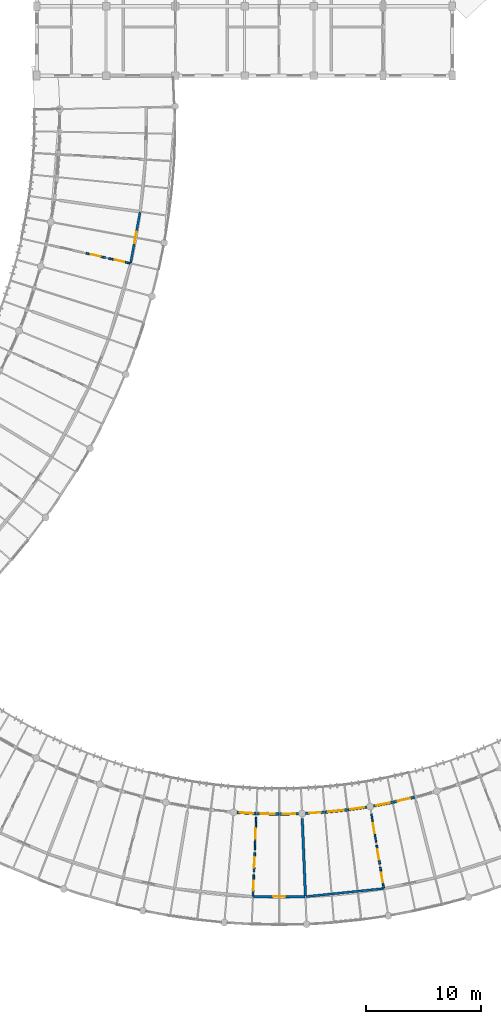
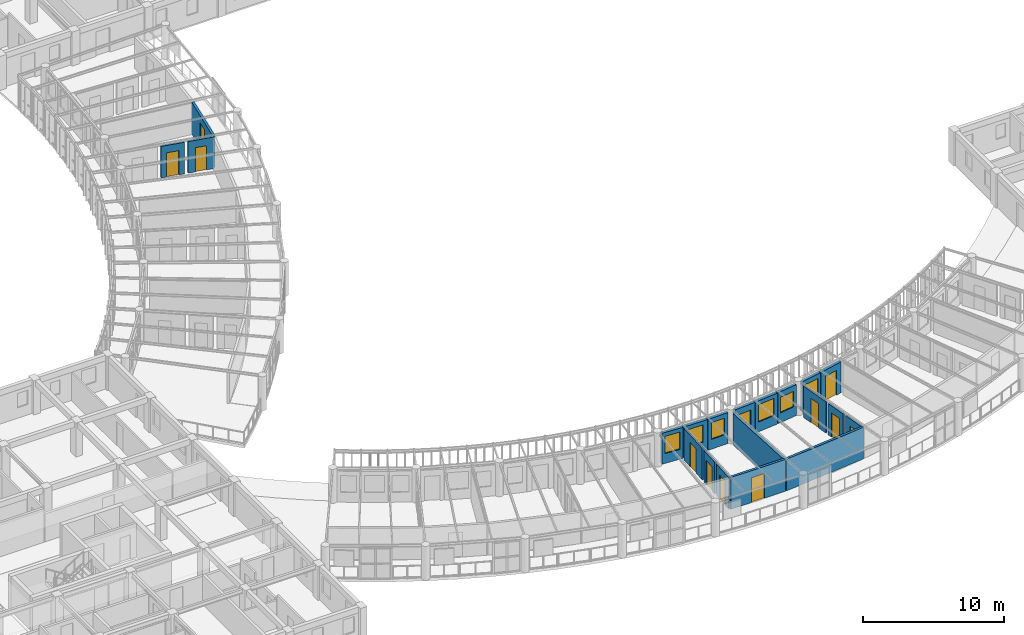
# One storey, part 61 of 100: 20 walls, 12 doors, 6 windows, 18 openings.
"""IFC4 building model written with IfcOpenShell, lengths in metres."""

from ifc_helpers import new_model, si_unit, direction, frame, frame_2d, origin, place, context, subcontext, project, spatial, rectangle, extrude, material, layer, layer_set, type_object, element, fill, save


model = new_model("IFC4")

# Units and contexts
model_context = context("Model", 3, precision=1e-05, world=origin(), true_north=direction((0.0, 1.0)))
body_context = subcontext(model_context, "Body", "Model", "MODEL_VIEW")
ifc_project = project(units=[si_unit("LENGTHUNIT", "METRE"), si_unit("AREAUNIT", "SQUARE_METRE"), si_unit("VOLUMEUNIT", "CUBIC_METRE"), si_unit("PLANEANGLEUNIT", "RADIAN"), si_unit("MASSUNIT", "GRAM", prefix="KILO"), si_unit("POWERUNIT", "WATT"), si_unit("THERMODYNAMICTEMPERATUREUNIT", "KELVIN")], contexts=[model_context])

# Site, building, storey
site_placement = place(None, origin())
site = spatial("IfcSite", under=ifc_project, at=site_placement, CompositionType="ELEMENT")
building_placement = place(site_placement, origin())
building = spatial("IfcBuilding", under=site, at=building_placement, Name="Ruvembo Vaulted Housing Court", CompositionType="ELEMENT")
storey_placement = place(building_placement, frame((0.0, 0.0, 14.10009765625)))
storey = spatial("IfcBuildingStorey", under=building, at=storey_placement, Name="L04", CompositionType="ELEMENT", Elevation=14.10009765625)

# Wall, opening, door
ifc_material_1 = material(Name="Concrete Blockwork 190", Category="masonry")
ifc_layer_1 = layer(ifc_material_1, 0.18994140625, Name="Concrete Blockwork 190")
ifc_layer_set_1 = layer_set([ifc_layer_1], Name="Concrete Blockwork 190")
wall_type_1 = type_object("IfcWallType", Name="WL-CORR-190", PredefinedType="SOLIDWALL", material=ifc_layer_set_1)
wall_1_placement = place(storey_placement, frame((56.131591796875, 61.759765625, 0.0), z_axis=(0.0, 0.0, 1.0), x_axis=(0.181159647639, 0.983453701029, 0.0)))
wall_1 = element("IfcWall", 1, at=wall_1_placement, inside=storey, type_object=wall_type_1, Name="L04 Suite SC1-L04-U3 Entrance WL-INT-L04-01300", PredefinedType="SOLIDWALL", context=body_context, shape_type="SweptSolid", body=[
    extrude(rectangle(XDim=4.467529296875, YDim=0.18994140625, at=frame_2d((2.23388671875, 0.0))), origin(), (0.0, 0.0, 1.0), 2.761962890625),
])
opening_1_placement = place(wall_1_placement, frame((1.74365234375, 0.0, 0.0)))
opening_1 = element("IfcOpeningElement", 2, at=opening_1_placement, cuts=wall_1, Name="Opening FD2", PredefinedType="OPENING", context=body_context, shape_type="SweptSolid", body=[
    extrude(rectangle(XDim=0.97998046875, YDim=2.14990234375, at=frame_2d((0.489990234375, 1.074951171875))), frame((0.0, 0.10498046875, 0.0), z_axis=(0.0, -1.0, 0.0), x_axis=(1.0, 0.0, 0.0)), (0.0, 0.0, 1.0), 0.2099609375),
])
ifc_material_2 = material(Name="FSC Hardwood and Engineered Timber", Category="wood")
door_type_1 = type_object("IfcDoorType", Name="DR-FLAT-0980x2150", OperationType="NOTDEFINED", PredefinedType="DOOR", material=ifc_material_2)
door_1_placement = place(opening_1_placement, origin())
door_1 = element("IfcDoor", 3, at=door_1_placement, inside=storey, type_object=door_type_1, Name="L04 Suite SC1-L04-U3 Entrance Door DR-INT-L04-00724", OperationType="SINGLE_SWING_RIGHT", OverallHeight=2.14990234375, OverallWidth=0.97998046875, PredefinedType="DOOR", context=body_context, shape_type="SweptSolid", body=[
    extrude(rectangle(XDim=0.97998046875, YDim=2.14990234375, at=frame_2d((0.489990234375, 1.074951171875))), frame((0.0, 0.02490234375, 0.0), z_axis=(0.0, -1.0, 0.0), x_axis=(1.0, 0.0, 0.0)), (0.0, 0.0, 1.0), 0.050048828125),
])
fill(opening_1, door_1)

wall_2_placement = place(storey_placement, frame((66.763427734375, 6.846923828125, 0.0), z_axis=(0.0, 0.0, 1.0), x_axis=(1.0, 0.0, 0.0)))
wall_2 = element("IfcWall", 4, at=wall_2_placement, inside=storey, type_object=wall_type_1, Name="L04 Suite SC2-L04-U3 Entrance WL-INT-L04-01323", PredefinedType="SOLIDWALL", context=body_context, shape_type="SweptSolid", body=[
    extrude(rectangle(XDim=4.47314453125, YDim=0.18994140625, at=frame_2d((2.236572265625, 0.0))), origin(), (0.0, 0.0, 1.0), 2.761962890625),
])
opening_2_placement = place(wall_2_placement, frame((1.71142578125, 0.0, 0.0)))
opening_2 = element("IfcOpeningElement", 5, at=opening_2_placement, cuts=wall_2, Name="Opening FD3", PredefinedType="OPENING", context=body_context, shape_type="SweptSolid", body=[
    extrude(rectangle(XDim=1.050048828125, YDim=2.14990234375, at=frame_2d((0.52490234375, 1.074951171875))), frame((0.0, 0.10498046875, 0.0), z_axis=(0.0, -1.0, 0.0), x_axis=(1.0, 0.0, 0.0)), (0.0, 0.0, 1.0), 0.2099609375),
])
door_type_2 = type_object("IfcDoorType", Name="DR-FLAT-1050x2150", OperationType="NOTDEFINED", PredefinedType="DOOR", material=ifc_material_2)
door_2_placement = place(opening_2_placement, origin())
door_2 = element("IfcDoor", 6, at=door_2_placement, inside=storey, type_object=door_type_2, Name="L04 Suite SC2-L04-U3 Entrance Door DR-INT-L04-00740", OperationType="SINGLE_SWING_RIGHT", OverallHeight=2.14990234375, OverallWidth=1.050048828125, PredefinedType="DOOR", context=body_context, shape_type="SweptSolid", body=[
    extrude(rectangle(XDim=1.050048828125, YDim=2.14990234375, at=frame_2d((0.52490234375, 1.074951171875))), frame((0.0, 0.02490234375, 0.0), z_axis=(0.0, -1.0, 0.0), x_axis=(1.0, 0.0, 0.0)), (0.0, 0.0, 1.0), 0.050048828125),
])
fill(opening_2, door_2)

# Walls
wall_3_placement = place(storey_placement, frame((71.31640625, 6.85107421875, 0.0), z_axis=(0.0, 0.0, 1.0), x_axis=(0.994686939686, 0.10294606364, 0.0)))
element("IfcWall", 7, at=wall_3_placement, inside=storey, type_object=wall_type_1, Name="L04 Suite SC2-L04-U4 Gallery Wall WL-INT-L04-01328", PredefinedType="SOLIDWALL", context=body_context, shape_type="SweptSolid", body=[
    extrude(rectangle(XDim=6.7470703125, YDim=0.18994140625, at=frame_2d((3.37353515625, 0.0))), origin(), (0.0, 0.0, 1.0), 2.741943359375),
])
ifc_material_3 = material(Name="Acoustic Masonry Demising 220", Category="masonry")
ifc_layer_2 = layer(ifc_material_3, 0.219970703125, Name="Acoustic Masonry Demising 220")
ifc_layer_set_2 = layer_set([ifc_layer_2], Name="Acoustic Masonry Demising 220")
wall_type_2 = type_object("IfcWallType", Name="WL-DEM-200", PredefinedType="SOLIDWALL", material=ifc_layer_set_2)
wall_4_placement = place(storey_placement, frame((70.9970703125, 13.6171875, 0.0), z_axis=(0.0, 0.0, 1.0), x_axis=(0.04124611243, -0.999149017019, 0.0)))
element("IfcWall", 8, at=wall_4_placement, inside=storey, type_object=wall_type_2, Name="L04 Suite SC2-L04-U3 Demising WL-INT-L04-01327", PredefinedType="SOLIDWALL", context=body_context, shape_type="SweptSolid", body=[
    extrude(rectangle(XDim=6.73583984375, YDim=0.219970703125, at=frame_2d((3.367919921875, 0.0))), origin(), (0.0, 0.0, 1.0), 2.721923828125),
])

# Wall, opening, window
ifc_material_4 = material(Name="Rendered Masonry 235", Category="masonry")
ifc_layer_3 = layer(ifc_material_4, 0.235107421875, Name="Rendered Masonry 235")
ifc_layer_set_3 = layer_set([ifc_layer_3], Name="Rendered Masonry 235")
wall_type_3 = type_object("IfcWallType", Name="WL-EXT-235", PredefinedType="STANDARD", material=ifc_layer_set_3)
wall_5_placement = place(storey_placement, frame((65.343505859375, 14.144775390625, 0.0), z_axis=(0.0, 0.0, 1.0), x_axis=(0.998081651949, -0.061911356339, 0.0)))
wall_5 = element("IfcWall", 9, at=wall_5_placement, inside=storey, type_object=wall_type_3, Name="Scoop SC2 L04 Concave Balcony Wall 12", PredefinedType="STANDARD", context=body_context, shape_type="SweptSolid", body=[
    extrude(rectangle(XDim=1.66015625, YDim=0.235107421875, at=frame_2d((0.830078125, 0.0))), origin(), (0.0, 0.0, 1.0), 2.683837890625),
])
opening_3_placement = place(wall_5_placement, frame((0.22998046875, 0.0, 0.85009765625)))
opening_3 = element("IfcOpeningElement", 10, at=opening_3_placement, cuts=wall_5, Name="Opening W14", PredefinedType="OPENING", context=body_context, shape_type="SweptSolid", body=[
    extrude(rectangle(XDim=1.199951171875, YDim=1.5, at=frame_2d((0.60009765625, 0.75))), frame((0.0, 0.12744140625, 0.0), z_axis=(0.0, -1.0, 0.0), x_axis=(1.0, 0.0, 0.0)), (0.0, 0.0, 1.0), 0.255126953125),
])
ifc_material_5 = material(Name="Double Solar-Control Glazing in Aluminium Frame", Category="aluminium")
window_type_1 = type_object("IfcWindowType", Name="WIN-1200x1500", PartitioningType="SINGLE_PANEL", PredefinedType="WINDOW", material=ifc_material_5)
window_1_placement = place(opening_3_placement, origin())
window_1 = element("IfcWindow", 11, at=window_1_placement, inside=storey, type_object=window_type_1, Name="Scoop SC2 L04 Concave Window 12", OverallHeight=1.5, OverallWidth=1.199951171875, PartitioningType="SINGLE_PANEL", PredefinedType="WINDOW", context=body_context, shape_type="SweptSolid", body=[
    extrude(rectangle(XDim=1.199951171875, YDim=1.5, at=frame_2d((0.60009765625, 0.75))), frame((0.0, 0.030029296875, 0.0), z_axis=(0.0, -1.0, 0.0), x_axis=(1.0, 0.0, 0.0)), (0.0, 0.0, 1.0), 0.06005859375),
])
fill(opening_3, window_1)

wall_6_placement = place(storey_placement, frame((67.040283203125, 14.040283203125, 0.0), z_axis=(0.0, 0.0, 1.0), x_axis=(0.999789612304, -0.020511731505, 0.0)))
wall_6 = element("IfcWall", 12, at=wall_6_placement, inside=storey, type_object=wall_type_3, Name="Scoop SC2 L04 Concave Balcony Wall 13", PredefinedType="STANDARD", context=body_context, shape_type="SweptSolid", body=[
    extrude(rectangle(XDim=1.940185546875, YDim=0.235107421875, at=frame_2d((0.97021484375, 0.0))), origin(), (0.0, 0.0, 1.0), 2.683837890625),
])
opening_4_placement = place(wall_6_placement, frame((0.3701171875, 0.0, 0.85009765625)))
opening_4 = element("IfcOpeningElement", 13, at=opening_4_placement, cuts=wall_6, Name="Opening W14", PredefinedType="OPENING", context=body_context, shape_type="SweptSolid", body=[
    extrude(rectangle(XDim=1.199951171875, YDim=1.5, at=frame_2d((0.60009765625, 0.75))), frame((0.0, 0.12744140625, 0.0), z_axis=(0.0, -1.0, 0.0), x_axis=(1.0, 0.0, 0.0)), (0.0, 0.0, 1.0), 0.255126953125),
])
window_2_placement = place(opening_4_placement, origin())
window_2 = element("IfcWindow", 14, at=window_2_placement, inside=storey, type_object=window_type_1, Name="Scoop SC2 L04 Concave Window 13", OverallHeight=1.5, OverallWidth=1.199951171875, PartitioningType="SINGLE_PANEL", PredefinedType="WINDOW", context=body_context, shape_type="SweptSolid", body=[
    extrude(rectangle(XDim=1.199951171875, YDim=1.5, at=frame_2d((0.60009765625, 0.75))), frame((0.0, 0.030029296875, 0.0), z_axis=(0.0, -1.0, 0.0), x_axis=(1.0, 0.0, 0.0)), (0.0, 0.0, 1.0), 0.06005859375),
])
fill(opening_4, window_2)

wall_7_placement = place(storey_placement, frame((69.02001953125, 14.00048828125, 0.0), z_axis=(0.0, 0.0, 1.0), x_axis=(0.999788004991, 0.020589926552, 0.0)))
wall_7 = element("IfcWall", 15, at=wall_7_placement, inside=storey, type_object=wall_type_3, Name="Scoop SC2 L04 Concave Balcony Wall 14", PredefinedType="STANDARD", context=body_context, shape_type="SweptSolid", body=[
    extrude(rectangle(XDim=1.659912109375, YDim=0.235107421875, at=frame_2d((0.830078125, 0.0))), origin(), (0.0, 0.0, 1.0), 2.683837890625),
])
opening_5_placement = place(wall_7_placement, frame((0.280029296875, 0.0, 0.85009765625)))
opening_5 = element("IfcOpeningElement", 16, at=opening_5_placement, cuts=wall_7, Name="Opening W10", PredefinedType="OPENING", context=body_context, shape_type="SweptSolid", body=[
    extrude(rectangle(XDim=1.10009765625, YDim=1.449951171875, at=frame_2d((0.550048828125, 0.72509765625))), frame((0.0, 0.12744140625, 0.0), z_axis=(0.0, -1.0, 0.0), x_axis=(1.0, 0.0, 0.0)), (0.0, 0.0, 1.0), 0.255126953125),
])
window_type_2 = type_object("IfcWindowType", Name="WIN-1100x1450", PartitioningType="SINGLE_PANEL", PredefinedType="WINDOW", material=ifc_material_5)
window_3_placement = place(opening_5_placement, origin())
window_3 = element("IfcWindow", 17, at=window_3_placement, inside=storey, type_object=window_type_2, Name="Scoop SC2 L04 Concave Window 14", OverallHeight=1.449951171875, OverallWidth=1.10009765625, PartitioningType="SINGLE_PANEL", PredefinedType="WINDOW", context=body_context, shape_type="SweptSolid", body=[
    extrude(rectangle(XDim=1.10009765625, YDim=1.449951171875, at=frame_2d((0.550048828125, 0.72509765625))), frame((0.0, 0.030029296875, 0.0), z_axis=(0.0, -1.0, 0.0), x_axis=(1.0, 0.0, 0.0)), (0.0, 0.0, 1.0), 0.06005859375),
])
fill(opening_5, window_3)

# Wall, opening, door
wall_8_placement = place(storey_placement, frame((71.279052734375, 14.059326171875, 0.0), z_axis=(0.0, 0.0, 1.0), x_axis=(0.998081088149, 0.061920444756, 0.0)))
wall_8 = element("IfcWall", 18, at=wall_8_placement, inside=storey, type_object=wall_type_3, Name="Scoop SC2 L04 Concave Balcony Wall 15", PredefinedType="STANDARD", context=body_context, shape_type="SweptSolid", body=[
    extrude(rectangle(XDim=1.659912109375, YDim=0.235107421875, at=frame_2d((0.830078125, 0.0))), origin(), (0.0, 0.0, 1.0), 2.683837890625),
])
opening_6_placement = place(wall_8_placement, frame((0.330078125, 0.0, 0.0)))
opening_6 = element("IfcOpeningElement", 19, at=opening_6_placement, cuts=wall_8, Name="Opening BD1", PredefinedType="OPENING", context=body_context, shape_type="SweptSolid", body=[
    extrude(rectangle(XDim=1.0, YDim=2.14990234375, at=frame_2d((0.5, 1.074951171875))), frame((0.0, 0.12744140625, 0.0), z_axis=(0.0, -1.0, 0.0), x_axis=(1.0, 0.0, 0.0)), (0.0, 0.0, 1.0), 0.255126953125),
])
ifc_material_6 = material(Name="Thermally Broken Glazed Aluminium", Category="aluminium")
door_type_3 = type_object("IfcDoorType", Name="DR-BAL-1000x2150", OperationType="NOTDEFINED", PredefinedType="DOOR", material=ifc_material_6)
door_3_placement = place(opening_6_placement, origin())
door_3 = element("IfcDoor", 20, at=door_3_placement, inside=storey, type_object=door_type_3, Name="Scoop SC2 L04 Balcony Door 15", OperationType="SINGLE_SWING_RIGHT", OverallHeight=2.14990234375, OverallWidth=1.0, PredefinedType="DOOR", context=body_context, shape_type="SweptSolid", body=[
    extrude(rectangle(XDim=1.0, YDim=2.14990234375, at=frame_2d((0.5, 1.074951171875))), frame((0.0, 0.02490234375, 0.0), z_axis=(0.0, -1.0, 0.0), x_axis=(1.0, 0.0, 0.0)), (0.0, 0.0, 1.0), 0.050048828125),
])
fill(opening_6, door_3)

# Wall, opening, window
wall_9_placement = place(storey_placement, frame((72.9755859375, 14.165283203125, 0.0), z_axis=(0.0, 0.0, 1.0), x_axis=(0.994688684624, 0.10292920228, 0.0)))
wall_9 = element("IfcWall", 21, at=wall_9_placement, inside=storey, type_object=wall_type_3, Name="Scoop SC2 L04 Concave Balcony Wall 16", PredefinedType="STANDARD", context=body_context, shape_type="SweptSolid", body=[
    extrude(rectangle(XDim=1.940185546875, YDim=0.235107421875, at=frame_2d((0.97021484375, 0.0))), origin(), (0.0, 0.0, 1.0), 2.683837890625),
])
opening_7_placement = place(wall_9_placement, frame((0.294921875, 0.0, 0.85009765625)))
opening_7 = element("IfcOpeningElement", 22, at=opening_7_placement, cuts=wall_9, Name="Opening W16", PredefinedType="OPENING", context=body_context, shape_type="SweptSolid", body=[
    extrude(rectangle(XDim=1.35009765625, YDim=1.5, at=frame_2d((0.675048828125, 0.75))), frame((0.0, 0.12744140625, 0.0), z_axis=(0.0, -1.0, 0.0), x_axis=(1.0, 0.0, 0.0)), (0.0, 0.0, 1.0), 0.255126953125),
])
window_type_3 = type_object("IfcWindowType", Name="WIN-1350x1500", PartitioningType="SINGLE_PANEL", PredefinedType="WINDOW", material=ifc_material_5)
window_4_placement = place(opening_7_placement, origin())
window_4 = element("IfcWindow", 23, at=window_4_placement, inside=storey, type_object=window_type_3, Name="Scoop SC2 L04 Concave Window 16", OverallHeight=1.5, OverallWidth=1.35009765625, PartitioningType="SINGLE_PANEL", PredefinedType="WINDOW", context=body_context, shape_type="SweptSolid", body=[
    extrude(rectangle(XDim=1.35009765625, YDim=1.5, at=frame_2d((0.675048828125, 0.75))), frame((0.0, 0.030029296875, 0.0), z_axis=(0.0, -1.0, 0.0), x_axis=(1.0, 0.0, 0.0)), (0.0, 0.0, 1.0), 0.06005859375),
])
fill(opening_7, window_4)

wall_10_placement = place(storey_placement, frame((74.945068359375, 14.3701171875, 0.0), z_axis=(0.0, 0.0, 1.0), x_axis=(0.989602429917, 0.14382986721, 0.0)))
wall_10 = element("IfcWall", 24, at=wall_10_placement, inside=storey, type_object=wall_type_3, Name="Scoop SC2 L04 Concave Balcony Wall 17", PredefinedType="STANDARD", context=body_context, shape_type="SweptSolid", body=[
    extrude(rectangle(XDim=1.66015625, YDim=0.235107421875, at=frame_2d((0.830078125, 0.0))), origin(), (0.0, 0.0, 1.0), 2.683837890625),
])
opening_8_placement = place(wall_10_placement, frame((0.22998046875, 0.0, 0.85009765625)))
opening_8 = element("IfcOpeningElement", 25, at=opening_8_placement, cuts=wall_10, Name="Opening W12", PredefinedType="OPENING", context=body_context, shape_type="SweptSolid", body=[
    extrude(rectangle(XDim=1.199951171875, YDim=1.35009765625, at=frame_2d((0.60009765625, 0.675048828125))), frame((0.0, 0.12744140625, 0.0), z_axis=(0.0, -1.0, 0.0), x_axis=(1.0, 0.0, 0.0)), (0.0, 0.0, 1.0), 0.255126953125),
])
window_type_4 = type_object("IfcWindowType", Name="WIN-1200x1350", PartitioningType="SINGLE_PANEL", PredefinedType="WINDOW", material=ifc_material_5)
window_5_placement = place(opening_8_placement, origin())
window_5 = element("IfcWindow", 26, at=window_5_placement, inside=storey, type_object=window_type_4, Name="Scoop SC2 L04 Concave Window 17", OverallHeight=1.35009765625, OverallWidth=1.199951171875, PartitioningType="SINGLE_PANEL", PredefinedType="WINDOW", context=body_context, shape_type="SweptSolid", body=[
    extrude(rectangle(XDim=1.199951171875, YDim=1.35009765625, at=frame_2d((0.60009765625, 0.675048828125))), frame((0.0, 0.030029296875, 0.0), z_axis=(0.0, -1.0, 0.0), x_axis=(1.0, 0.0, 0.0)), (0.0, 0.0, 1.0), 0.06005859375),
])
fill(opening_8, window_5)

wall_11_placement = place(storey_placement, frame((77.179443359375, 14.70751953125, 0.0), z_axis=(0.0, 0.0, 1.0), x_axis=(0.982820537681, 0.184563784945, 0.0)))
wall_11 = element("IfcWall", 27, at=wall_11_placement, inside=storey, type_object=wall_type_3, Name="Scoop SC2 L04 Concave Balcony Wall 18", PredefinedType="STANDARD", context=body_context, shape_type="SweptSolid", body=[
    extrude(rectangle(XDim=1.66015625, YDim=0.235107421875, at=frame_2d((0.830078125, 0.0))), origin(), (0.0, 0.0, 1.0), 2.683837890625),
])
opening_9_placement = place(wall_11_placement, frame((0.22998046875, 0.0, 0.85009765625)))
opening_9 = element("IfcOpeningElement", 28, at=opening_9_placement, cuts=wall_11, Name="Opening W13", PredefinedType="OPENING", context=body_context, shape_type="SweptSolid", body=[
    extrude(rectangle(XDim=1.199951171875, YDim=1.449951171875, at=frame_2d((0.60009765625, 0.72509765625))), frame((0.0, 0.12744140625, 0.0), z_axis=(0.0, -1.0, 0.0), x_axis=(1.0, 0.0, 0.0)), (0.0, 0.0, 1.0), 0.255126953125),
])
window_type_5 = type_object("IfcWindowType", Name="WIN-1200x1450", PartitioningType="SINGLE_PANEL", PredefinedType="WINDOW", material=ifc_material_5)
window_6_placement = place(opening_9_placement, origin())
window_6 = element("IfcWindow", 29, at=window_6_placement, inside=storey, type_object=window_type_5, Name="Scoop SC2 L04 Concave Window 18", OverallHeight=1.449951171875, OverallWidth=1.199951171875, PartitioningType="SINGLE_PANEL", PredefinedType="WINDOW", context=body_context, shape_type="SweptSolid", body=[
    extrude(rectangle(XDim=1.199951171875, YDim=1.449951171875, at=frame_2d((0.60009765625, 0.72509765625))), frame((0.0, 0.030029296875, 0.0), z_axis=(0.0, -1.0, 0.0), x_axis=(1.0, 0.0, 0.0)), (0.0, 0.0, 1.0), 0.06005859375),
])
fill(opening_9, window_6)

# Wall, opening, door
wall_12_placement = place(storey_placement, frame((78.85009765625, 15.02197265625, 0.0), z_axis=(0.0, 0.0, 1.0), x_axis=(0.974359373104, 0.224997360081, 0.0)))
wall_12 = element("IfcWall", 30, at=wall_12_placement, inside=storey, type_object=wall_type_3, Name="Scoop SC2 L04 Concave Balcony Wall 19", PredefinedType="STANDARD", context=body_context, shape_type="SweptSolid", body=[
    extrude(rectangle(XDim=1.940185546875, YDim=0.235107421875, at=frame_2d((0.97021484375, 0.0))), origin(), (0.0, 0.0, 1.0), 2.683837890625),
])
opening_10_placement = place(wall_12_placement, frame((0.419921875, 0.0, 0.0)))
opening_10 = element("IfcOpeningElement", 31, at=opening_10_placement, cuts=wall_12, Name="Opening BD3", PredefinedType="OPENING", context=body_context, shape_type="SweptSolid", body=[
    extrude(rectangle(XDim=1.10009765625, YDim=2.14990234375, at=frame_2d((0.550048828125, 1.074951171875))), frame((0.0, 0.12744140625, 0.0), z_axis=(0.0, -1.0, 0.0), x_axis=(1.0, 0.0, 0.0)), (0.0, 0.0, 1.0), 0.255126953125),
])
door_type_4 = type_object("IfcDoorType", Name="DR-BAL-1100x2150", OperationType="NOTDEFINED", PredefinedType="DOOR", material=ifc_material_6)
door_4_placement = place(opening_10_placement, origin())
door_4 = element("IfcDoor", 32, at=door_4_placement, inside=storey, type_object=door_type_4, Name="Scoop SC2 L04 Balcony Door 19", OperationType="SINGLE_SWING_LEFT", OverallHeight=2.14990234375, OverallWidth=1.10009765625, PredefinedType="DOOR", context=body_context, shape_type="SweptSolid", body=[
    extrude(rectangle(XDim=1.10009765625, YDim=2.14990234375, at=frame_2d((0.550048828125, 1.074951171875))), frame((0.0, 0.02490234375, 0.0), z_axis=(0.0, -1.0, 0.0), x_axis=(1.0, 0.0, 0.0)), (0.0, 0.0, 1.0), 0.050048828125),
])
fill(opening_10, door_4)

ifc_material_7 = material(Name="Plasterboard Stud Partition 125", Category="gypsum")
ifc_layer_4 = layer(ifc_material_7, 0.125, Name="Plasterboard Stud Partition 125")
ifc_layer_set_4 = layer_set([ifc_layer_4], Name="Plasterboard Stud Partition 125")
wall_type_4 = type_object("IfcWallType", Name="WL-PART-125", PredefinedType="PARTITIONING", material=ifc_layer_set_4)
wall_13_placement = place(storey_placement, frame((67.0068359375, 13.712890625, 0.0), z_axis=(0.0, 0.0, 1.0), x_axis=(-0.041246071378, -0.999149018713, 0.0)))
wall_13 = element("IfcWall", 33, at=wall_13_placement, inside=storey, type_object=wall_type_4, Name="L04 Suite SC2-L04-U3 Bedroom WL-INT-L04-01324", PredefinedType="PARTITIONING", context=body_context, shape_type="SweptSolid", body=[
    extrude(rectangle(XDim=2.7998046875, YDim=0.125, at=frame_2d((1.39990234375, 0.0))), origin(), (0.0, 0.0, 1.0), 2.741943359375),
])
opening_11_placement = place(wall_13_placement, frame((0.9599609375, 0.0, 0.0)))
opening_11 = element("IfcOpeningElement", 34, at=opening_11_placement, cuts=wall_13, Name="Opening ID3", PredefinedType="OPENING", context=body_context, shape_type="SweptSolid", body=[
    extrude(rectangle(XDim=0.8798828125, YDim=2.10009765625, at=frame_2d((0.43994140625, 1.050048828125))), frame((0.0, 0.072509765625, 0.0), z_axis=(0.0, -1.0, 0.0), x_axis=(1.0, 0.0, 0.0)), (0.0, 0.0, 1.0), 0.14501953125),
])
door_type_5 = type_object("IfcDoorType", Name="DR-ROOM-0880x2100", OperationType="NOTDEFINED", PredefinedType="DOOR", material=ifc_material_2)
door_5_placement = place(opening_11_placement, origin())
door_5 = element("IfcDoor", 35, at=door_5_placement, inside=storey, type_object=door_type_5, Name="L04 Suite SC2-L04-U3 Bedroom Door DR-INT-L04-00741", OperationType="SINGLE_SWING_LEFT", OverallHeight=2.10009765625, OverallWidth=0.8798828125, PredefinedType="DOOR", context=body_context, shape_type="SweptSolid", body=[
    extrude(rectangle(XDim=0.8798828125, YDim=2.10009765625, at=frame_2d((0.43994140625, 1.050048828125))), frame((0.0, 0.02490234375, 0.0), z_axis=(0.0, -1.0, 0.0), x_axis=(1.0, 0.0, 0.0)), (0.0, 0.0, 1.0), 0.050048828125),
])
fill(opening_11, door_5)

wall_14_placement = place(storey_placement, frame((76.9912109375, 14.0126953125, 0.0), z_axis=(0.0, 0.0, 1.0), x_axis=(0.16420741421, -0.986425833562, 0.0)))
wall_14 = element("IfcWall", 36, at=wall_14_placement, inside=storey, type_object=wall_type_4, Name="L04 Suite SC2-L04-U4 Bedroom WL-INT-L04-01330", PredefinedType="PARTITIONING", context=body_context, shape_type="SweptSolid", body=[
    extrude(rectangle(XDim=2.47998046875, YDim=0.125, at=frame_2d((1.239990234375, 0.0))), origin(), (0.0, 0.0, 1.0), 2.721923828125),
])
opening_12_placement = place(wall_14_placement, frame((0.800048828125, 0.0, 0.0)))
opening_12 = element("IfcOpeningElement", 37, at=opening_12_placement, cuts=wall_14, Name="Opening ID3", PredefinedType="OPENING", context=body_context, shape_type="SweptSolid", body=[
    extrude(rectangle(XDim=0.8798828125, YDim=2.10009765625, at=frame_2d((0.43994140625, 1.050048828125))), frame((0.0, 0.072509765625, 0.0), z_axis=(0.0, -1.0, 0.0), x_axis=(1.0, 0.0, 0.0)), (0.0, 0.0, 1.0), 0.14501953125),
])
door_6_placement = place(opening_12_placement, origin())
door_6 = element("IfcDoor", 38, at=door_6_placement, inside=storey, type_object=door_type_5, Name="L04 Suite SC2-L04-U4 Bedroom Door DR-INT-L04-00745", OperationType="SINGLE_SWING_LEFT", OverallHeight=2.10009765625, OverallWidth=0.8798828125, PredefinedType="DOOR", context=body_context, shape_type="SweptSolid", body=[
    extrude(rectangle(XDim=0.8798828125, YDim=2.10009765625, at=frame_2d((0.43994140625, 1.050048828125))), frame((0.0, 0.02490234375, 0.0), z_axis=(0.0, -1.0, 0.0), x_axis=(1.0, 0.0, 0.0)), (0.0, 0.0, 1.0), 0.050048828125),
])
fill(opening_12, door_6)

ifc_material_8 = material(Name="Moisture-Resistant Wet Partition 150", Category="gypsum")
ifc_layer_5 = layer(ifc_material_8, 0.14990234375, Name="Moisture-Resistant Wet Partition 150")
ifc_layer_set_5 = layer_set([ifc_layer_5], Name="Moisture-Resistant Wet Partition 150")
wall_type_5 = type_object("IfcWallType", Name="WL-PART-150", PredefinedType="PARTITIONING", material=ifc_layer_set_5)
wall_15_placement = place(storey_placement, frame((54.213134765625, 62.154052734375, 0.0), z_axis=(0.0, 0.0, 1.0), x_axis=(0.975241417354, -0.221142890179, 0.0)))
wall_15 = element("IfcWall", 39, at=wall_15_placement, inside=storey, type_object=wall_type_5, Name="L04 Suite SC1-L04-U3 Bathroom WL-INT-L04-01303", PredefinedType="PARTITIONING", context=body_context, shape_type="SweptSolid", body=[
    extrude(rectangle(XDim=1.919921875, YDim=0.14990234375, at=frame_2d((0.9599609375, 0.0))), origin(), (0.0, 0.0, 1.0), 2.741943359375),
])
opening_13_placement = place(wall_15_placement, frame((0.534912109375, 0.0, 0.0)))
opening_13 = element("IfcOpeningElement", 40, at=opening_13_placement, cuts=wall_15, Name="Opening ID2", PredefinedType="OPENING", context=body_context, shape_type="SweptSolid", body=[
    extrude(rectangle(XDim=0.85009765625, YDim=2.10009765625, at=frame_2d((0.425048828125, 1.050048828125))), frame((0.0, 0.0849609375, 0.0), z_axis=(0.0, -1.0, 0.0), x_axis=(1.0, 0.0, 0.0)), (0.0, 0.0, 1.0), 0.169921875),
])
door_type_6 = type_object("IfcDoorType", Name="DR-WET-0850x2100", OperationType="NOTDEFINED", PredefinedType="DOOR", material=ifc_material_2)
door_7_placement = place(opening_13_placement, origin())
door_7 = element("IfcDoor", 41, at=door_7_placement, inside=storey, type_object=door_type_6, Name="L04 Suite SC1-L04-U3 Bathroom Door DR-INT-L04-00727", OperationType="SINGLE_SWING_LEFT", OverallHeight=2.10009765625, OverallWidth=0.85009765625, PredefinedType="DOOR", context=body_context, shape_type="SweptSolid", body=[
    extrude(rectangle(XDim=0.85009765625, YDim=2.10009765625, at=frame_2d((0.425048828125, 1.050048828125))), frame((0.0, 0.02490234375, 0.0), z_axis=(0.0, -1.0, 0.0), x_axis=(1.0, 0.0, 0.0)), (0.0, 0.0, 1.0), 0.050048828125),
])
fill(opening_13, door_7)

wall_16_placement = place(storey_placement, frame((66.801025390625, 8.725341796875, 0.0), z_axis=(0.0, 0.0, 1.0), x_axis=(-0.04126627959, -0.999148184289, 0.0)))
wall_16 = element("IfcWall", 42, at=wall_16_placement, inside=storey, type_object=wall_type_5, Name="L04 Suite SC2-L04-U3 Bathroom WL-INT-L04-01326", PredefinedType="PARTITIONING", context=body_context, shape_type="SweptSolid", body=[
    extrude(rectangle(XDim=1.83984375, YDim=0.14990234375, at=frame_2d((0.919921875, 0.0))), origin(), (0.0, 0.0, 1.0), 2.741943359375),
])
opening_14_placement = place(wall_16_placement, frame((0.4951171875, 0.0, 0.0)))
opening_14 = element("IfcOpeningElement", 43, at=opening_14_placement, cuts=wall_16, Name="Opening ID2", PredefinedType="OPENING", context=body_context, shape_type="SweptSolid", body=[
    extrude(rectangle(XDim=0.85009765625, YDim=2.10009765625, at=frame_2d((0.425048828125, 1.050048828125))), frame((0.0, 0.0849609375, 0.0), z_axis=(0.0, -1.0, 0.0), x_axis=(1.0, 0.0, 0.0)), (0.0, 0.0, 1.0), 0.169921875),
])
door_8_placement = place(opening_14_placement, origin())
door_8 = element("IfcDoor", 44, at=door_8_placement, inside=storey, type_object=door_type_6, Name="L04 Suite SC2-L04-U3 Bathroom Door DR-INT-L04-00743", OperationType="SINGLE_SWING_LEFT", OverallHeight=2.10009765625, OverallWidth=0.85009765625, PredefinedType="DOOR", context=body_context, shape_type="SweptSolid", body=[
    extrude(rectangle(XDim=0.85009765625, YDim=2.10009765625, at=frame_2d((0.425048828125, 1.050048828125))), frame((0.0, 0.02490234375, 0.0), z_axis=(0.0, -1.0, 0.0), x_axis=(1.0, 0.0, 0.0)), (0.0, 0.0, 1.0), 0.050048828125),
])
fill(opening_14, door_8)

wall_17_placement = place(storey_placement, frame((77.758544921875, 9.404296875, 0.0), z_axis=(0.0, 0.0, 1.0), x_axis=(0.164269882379, -0.986415432636, 0.0)))
wall_17 = element("IfcWall", 45, at=wall_17_placement, inside=storey, type_object=wall_type_5, Name="L04 Suite SC2-L04-U4 Bathroom WL-INT-L04-01332", PredefinedType="PARTITIONING", context=body_context, shape_type="SweptSolid", body=[
    extrude(rectangle(XDim=1.83984375, YDim=0.14990234375, at=frame_2d((0.919921875, 0.0))), origin(), (0.0, 0.0, 1.0), 2.721923828125),
])
opening_15_placement = place(wall_17_placement, frame((0.510009765625, 0.0, 0.0)))
opening_15 = element("IfcOpeningElement", 46, at=opening_15_placement, cuts=wall_17, Name="Opening ID4", PredefinedType="OPENING", context=body_context, shape_type="SweptSolid", body=[
    extrude(rectangle(XDim=0.820068359375, YDim=2.080078125, at=frame_2d((0.41015625, 1.0400390625))), frame((0.0, 0.0849609375, 0.0), z_axis=(0.0, -1.0, 0.0), x_axis=(1.0, 0.0, 0.0)), (0.0, 0.0, 1.0), 0.169921875),
])
door_type_7 = type_object("IfcDoorType", Name="DR-WET-0820x2080", OperationType="NOTDEFINED", PredefinedType="DOOR", material=ifc_material_2)
door_9_placement = place(opening_15_placement, origin())
door_9 = element("IfcDoor", 47, at=door_9_placement, inside=storey, type_object=door_type_7, Name="L04 Suite SC2-L04-U4 Bathroom Door DR-INT-L04-00747", OperationType="SINGLE_SWING_LEFT", OverallHeight=2.080078125, OverallWidth=0.820068359375, PredefinedType="DOOR", context=body_context, shape_type="SweptSolid", body=[
    extrude(rectangle(XDim=0.820068359375, YDim=2.080078125, at=frame_2d((0.41015625, 1.0400390625))), frame((0.0, 0.02490234375, 0.0), z_axis=(0.0, -1.0, 0.0), x_axis=(1.0, 0.0, 0.0)), (0.0, 0.0, 1.0), 0.050048828125),
])
fill(opening_15, door_9)

ifc_material_9 = material(Name="Acoustic Service Chase Wall 160", Category="gypsum")
ifc_layer_6 = layer(ifc_material_9, 0.159912109375, Name="Acoustic Service Chase Wall 160")
ifc_layer_set_6 = layer_set([ifc_layer_6], Name="Acoustic Service Chase Wall 160")
wall_type_6 = type_object("IfcWallType", Name="WL-PLUMB-160", PredefinedType="PLUMBINGWALL", material=ifc_layer_set_6)
wall_18_placement = place(storey_placement, frame((52.2626953125, 62.5966796875, 0.0), z_axis=(0.0, 0.0, 1.0), x_axis=(0.97521226366, -0.221271418868, 0.0)))
wall_18 = element("IfcWall", 48, at=wall_18_placement, inside=storey, type_object=wall_type_6, Name="L04 Suite SC1-L04-U3 Kitchen WL-INT-L04-01302", PredefinedType="PLUMBINGWALL", context=body_context, shape_type="SweptSolid", body=[
    extrude(rectangle(XDim=1.72021484375, YDim=0.159912109375, at=frame_2d((0.860107421875, 0.0))), origin(), (0.0, 0.0, 1.0), 2.741943359375),
])
opening_16_placement = place(wall_18_placement, frame((0.409912109375, 0.0, 0.0)))
opening_16 = element("IfcOpeningElement", 49, at=opening_16_placement, cuts=wall_18, Name="Opening ID1", PredefinedType="OPENING", context=body_context, shape_type="SweptSolid", body=[
    extrude(rectangle(XDim=0.89990234375, YDim=2.10009765625, at=frame_2d((0.449951171875, 1.050048828125))), frame((0.0, 0.08984375, 0.0), z_axis=(0.0, -1.0, 0.0), x_axis=(1.0, 0.0, 0.0)), (0.0, 0.0, 1.0), 0.179931640625),
])
door_type_8 = type_object("IfcDoorType", Name="DR-ROOM-0900x2100", OperationType="NOTDEFINED", PredefinedType="DOOR", material=ifc_material_2)
door_10_placement = place(opening_16_placement, origin())
door_10 = element("IfcDoor", 50, at=door_10_placement, inside=storey, type_object=door_type_8, Name="L04 Suite SC1-L04-U3 Kitchen Door DR-INT-L04-00726", OperationType="SINGLE_SWING_RIGHT", OverallHeight=2.10009765625, OverallWidth=0.89990234375, PredefinedType="DOOR", context=body_context, shape_type="SweptSolid", body=[
    extrude(rectangle(XDim=0.89990234375, YDim=2.10009765625, at=frame_2d((0.449951171875, 1.050048828125))), frame((0.0, 0.02490234375, 0.0), z_axis=(0.0, -1.0, 0.0), x_axis=(1.0, 0.0, 0.0)), (0.0, 0.0, 1.0), 0.050048828125),
])
fill(opening_16, door_10)

wall_19_placement = place(storey_placement, frame((66.880126953125, 10.643798828125, 0.0), z_axis=(0.0, 0.0, 1.0), x_axis=(-0.04118075259, -0.999151713013, 0.0)))
wall_19 = element("IfcWall", 51, at=wall_19_placement, inside=storey, type_object=wall_type_6, Name="L04 Suite SC2-L04-U3 Kitchen WL-INT-L04-01325", PredefinedType="PLUMBINGWALL", context=body_context, shape_type="SweptSolid", body=[
    extrude(rectangle(XDim=1.648193359375, YDim=0.159912109375, at=frame_2d((0.82421875, 0.0))), origin(), (0.0, 0.0, 1.0), 2.741943359375),
])
opening_17_placement = place(wall_19_placement, frame((0.3740234375, 0.0, 0.0)))
opening_17 = element("IfcOpeningElement", 52, at=opening_17_placement, cuts=wall_19, Name="Opening ID1", PredefinedType="OPENING", context=body_context, shape_type="SweptSolid", body=[
    extrude(rectangle(XDim=0.89990234375, YDim=2.10009765625, at=frame_2d((0.449951171875, 1.050048828125))), frame((0.0, 0.08984375, 0.0), z_axis=(0.0, -1.0, 0.0), x_axis=(1.0, 0.0, 0.0)), (0.0, 0.0, 1.0), 0.179931640625),
])
door_11_placement = place(opening_17_placement, origin())
door_11 = element("IfcDoor", 53, at=door_11_placement, inside=storey, type_object=door_type_8, Name="L04 Suite SC2-L04-U3 Kitchen Door DR-INT-L04-00742", OperationType="SINGLE_SWING_RIGHT", OverallHeight=2.10009765625, OverallWidth=0.89990234375, PredefinedType="DOOR", context=body_context, shape_type="SweptSolid", body=[
    extrude(rectangle(XDim=0.89990234375, YDim=2.10009765625, at=frame_2d((0.449951171875, 1.050048828125))), frame((0.0, 0.02490234375, 0.0), z_axis=(0.0, -1.0, 0.0), x_axis=(1.0, 0.0, 0.0)), (0.0, 0.0, 1.0), 0.050048828125),
])
fill(opening_17, door_11)

wall_20_placement = place(storey_placement, frame((77.443359375, 11.298095703125, 0.0), z_axis=(0.0, 0.0, 1.0), x_axis=(0.164158726706, -0.986433937193, 0.0)))
wall_20 = element("IfcWall", 54, at=wall_20_placement, inside=storey, type_object=wall_type_6, Name="L04 Suite SC2-L04-U4 Kitchen WL-INT-L04-01331", PredefinedType="PLUMBINGWALL", context=body_context, shape_type="SweptSolid", body=[
    extrude(rectangle(XDim=1.64794921875, YDim=0.159912109375, at=frame_2d((0.823974609375, 0.0))), origin(), (0.0, 0.0, 1.0), 2.721923828125),
])
opening_18_placement = place(wall_20_placement, frame((0.373779296875, 0.0, 0.0)))
opening_18 = element("IfcOpeningElement", 55, at=opening_18_placement, cuts=wall_20, Name="Opening ID1", PredefinedType="OPENING", context=body_context, shape_type="SweptSolid", body=[
    extrude(rectangle(XDim=0.89990234375, YDim=2.10009765625, at=frame_2d((0.449951171875, 1.050048828125))), frame((0.0, 0.08984375, 0.0), z_axis=(0.0, -1.0, 0.0), x_axis=(1.0, 0.0, 0.0)), (0.0, 0.0, 1.0), 0.179931640625),
])
door_12_placement = place(opening_18_placement, origin())
door_12 = element("IfcDoor", 56, at=door_12_placement, inside=storey, type_object=door_type_8, Name="L04 Suite SC2-L04-U4 Kitchen Door DR-INT-L04-00746", OperationType="SINGLE_SWING_RIGHT", OverallHeight=2.10009765625, OverallWidth=0.89990234375, PredefinedType="DOOR", context=body_context, shape_type="SweptSolid", body=[
    extrude(rectangle(XDim=0.89990234375, YDim=2.10009765625, at=frame_2d((0.449951171875, 1.050048828125))), frame((0.0, 0.02490234375, 0.0), z_axis=(0.0, -1.0, 0.0), x_axis=(1.0, 0.0, 0.0)), (0.0, 0.0, 1.0), 0.050048828125),
])
fill(opening_18, door_12)

save(model, "model.ifc")
